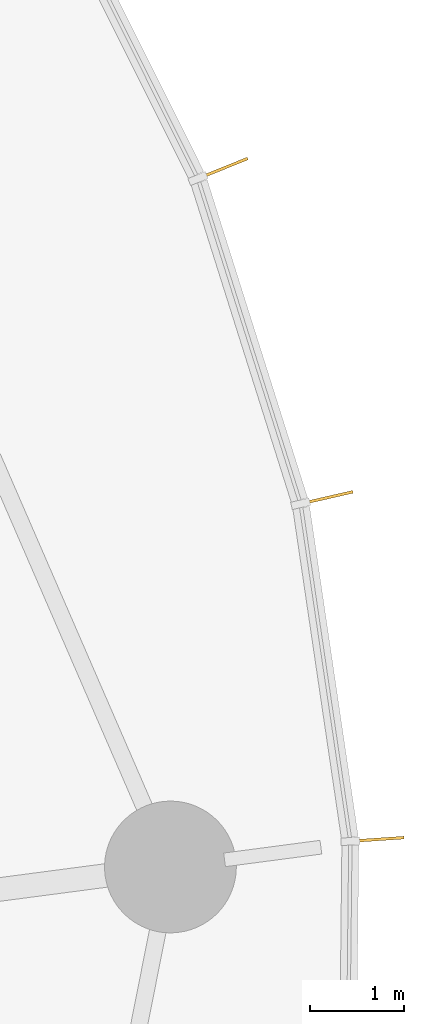
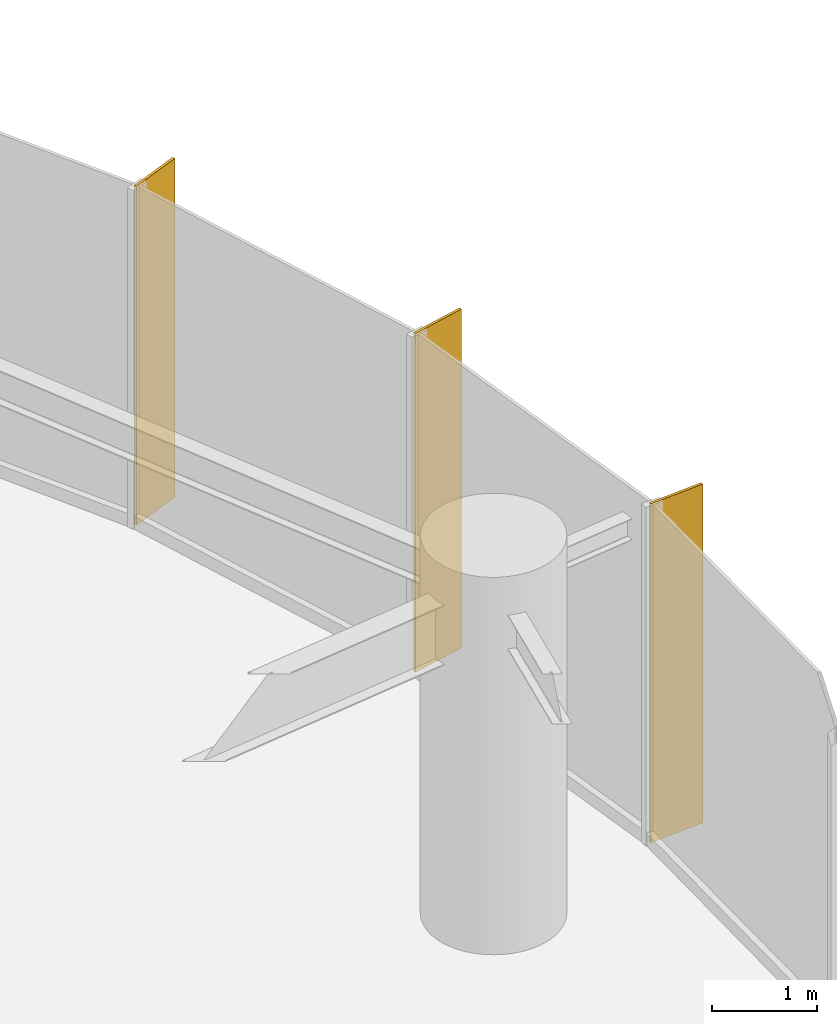
# One storey, part 18 of 18: 3 shading devices.
"""IFC4 building model written with IfcOpenShell, lengths in metres."""

from ifc_helpers import new_model, si_unit, direction, frame, origin, origin_2d, place, context, subcontext, project, spatial, rectangle, extrude, source, transform, mapped, material, material_profile, profile_set, type_object, element, save


model = new_model("IFC4")

# Units and contexts
model_context = context("Model", 3, precision=1e-05, world=origin(), true_north=direction((0.0, 1.0)))
body_context = subcontext(model_context, "Body", "Model", "MODEL_VIEW")
ifc_project = project(units=[si_unit("LENGTHUNIT", "METRE"), si_unit("AREAUNIT", "SQUARE_METRE"), si_unit("VOLUMEUNIT", "CUBIC_METRE"), si_unit("PLANEANGLEUNIT", "RADIAN"), si_unit("MASSUNIT", "GRAM", prefix="KILO")], contexts=[model_context])

# Site, building, storey
site_placement = place(None, origin())
site = spatial("IfcSite", under=ifc_project, at=site_placement, CompositionType="ELEMENT")
building_placement = place(site_placement, origin())
building = spatial("IfcBuilding", under=site, at=building_placement, Name="Spindrift Exchange Tower", CompositionType="ELEMENT")
storey_placement = place(building_placement, frame((0.0, 0.0, 62.199951171875)))
storey = spatial("IfcBuildingStorey", under=building, at=storey_placement, Name="L14", CompositionType="ELEMENT", Elevation=62.199951171875)

# Shading devices
ifc_material = material(Name="Bronze anodised aluminium", Category="aluminium")
ifc_material_profile = material_profile(ifc_material, rectangle(XDim=0.030029296875, YDim=0.60009765625, at=origin_2d()), Name="WIND FIN 30X600")
ifc_profile_set = profile_set([ifc_material_profile], Name="Bronze anodised aluminium")
shading_device_type = type_object("IfcShadingDeviceType", Name="WIND FIN 30X600", PredefinedType="USERDEFINED", material=ifc_profile_set)
shared_shape = source(origin(), body_context, "Body", "SweptSolid", [
    extrude(rectangle(XDim=0.030029296875, YDim=0.60009765625, at=origin_2d()), origin(), (0.0, 0.0, 1.0), 3.949951171875),
])
for number, where, z_axis, x_axis, name in (
    (1, (89.636962890625, 56.657958984375, 0.0), (0.0, 0.0, 1.0), (-0.224184015678, 0.974546831668, 0.0), "L14 wind fin 2"),
    (2, (88.532958984375, 60.15478515625, 0.0), (0.0, 0.0, 1.0), (-0.374986848555, 0.9270301308, 0.0), "L14 wind fin 3"),
    (3, (90.171875, 53.030029296875, 0.0), (0.0, 0.0, 1.0), (-0.067780214959, 0.997700276867, 0.0), "L14 wind fin 4"),
):
    element("IfcShadingDevice", number, at=place(storey_placement, frame(where, z_axis=z_axis, x_axis=x_axis)), inside=storey, type_object=shading_device_type, Name=name, ObjectType="FIN", PredefinedType="USERDEFINED", context=body_context, shape_type="MappedRepresentation", body=[
        mapped(shared_shape, transform((0.0, 0.0, 0.0), scale=1.0)),
    ])

save(model, "model.ifc")
